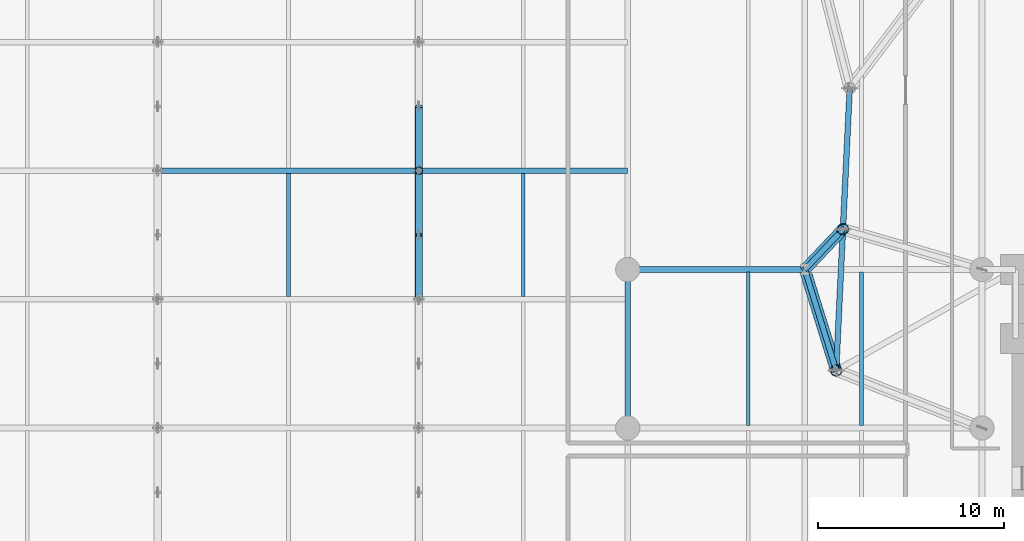
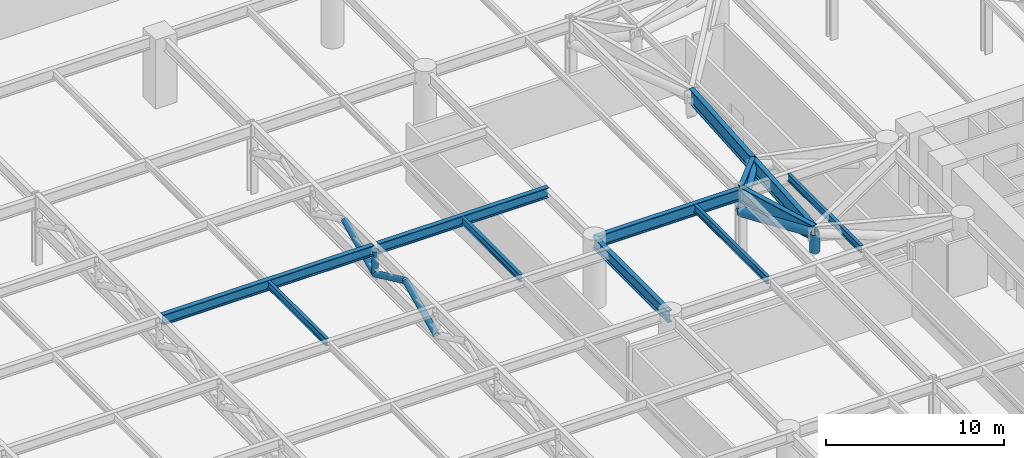
# One storey, part 16 of 40: 12 beams, 8 members.
"""IFC4 building model written with IfcOpenShell, lengths in metres."""

from ifc_helpers import new_model, si_unit, direction, frame, origin, origin_2d, place, context, subcontext, project, spatial, hollow_circle, i_section, extrude, material, material_profile, profile_set, type_object, element, save


model = new_model("IFC4")

# Units and contexts
model_context = context("Model", 3, precision=1e-05, world=origin(), true_north=direction((0.0, 1.0)))
body_context = subcontext(model_context, "Body", "Model", "MODEL_VIEW")
ifc_project = project(units=[si_unit("LENGTHUNIT", "METRE"), si_unit("AREAUNIT", "SQUARE_METRE"), si_unit("VOLUMEUNIT", "CUBIC_METRE"), si_unit("PLANEANGLEUNIT", "RADIAN"), si_unit("MASSUNIT", "GRAM", prefix="KILO")], contexts=[model_context])

# Site, building, storey
site_placement = place(None, origin())
site = spatial("IfcSite", under=ifc_project, at=site_placement, CompositionType="ELEMENT")
building_placement = place(site_placement, origin())
building = spatial("IfcBuilding", under=site, at=building_placement, Name="Narakoshi Arena Tower", CompositionType="ELEMENT")
storey_placement = place(building_placement, frame((0.0, 0.0, 21.60009765625)))
storey = spatial("IfcBuildingStorey", under=building, at=storey_placement, Name="L05", CompositionType="ELEMENT", Elevation=21.60009765625)

# Beams
ifc_material_1 = material(Name="Structural steel S355J2", Category="steel")
ifc_material_profile_1 = material_profile(ifc_material_1, i_section(OverallWidth=0.300048828125, OverallDepth=0.699951171875, WebThickness=0.01708984375, FlangeThickness=0.031982421875, FilletRadius=0.027099609375, at=origin_2d()), Name="HE700B")
ifc_profile_set_1 = profile_set([ifc_material_profile_1], Name="Structural steel S355J2")
beam_type_1 = type_object("IfcBeamType", Name="BM-PRI-700", PredefinedType="BEAM", material=ifc_profile_set_1)
beam_1_placement = place(storey_placement, frame((26.14501953125, 61.800048828125, 4.429931640625), z_axis=(1.0, 0.0, 0.0), x_axis=(0.0, 1.0, 0.0)))
element("IfcBeam", 1, at=beam_1_placement, inside=storey, type_object=beam_type_1, Name="L05 Arena Roof Transverse Girder 6-26", PredefinedType="BEAM", context=body_context, shape_type="SweptSolid", body=[
    extrude(i_section(OverallWidth=0.300048828125, OverallDepth=0.699951171875, WebThickness=0.01708984375, FlangeThickness=0.031982421875, FilletRadius=0.027099609375, at=origin_2d()), origin(), (0.0, 0.0, 1.0), 13.7099609375),
])
beam_2_placement = place(storey_placement, frame((40.14501953125, 61.800048828125, 4.429931640625), z_axis=(1.0, 0.0, 0.0), x_axis=(0.0, 1.0, 0.0)))
element("IfcBeam", 2, at=beam_2_placement, inside=storey, type_object=beam_type_1, Name="L05 Arena Roof Transverse Girder 6-40", PredefinedType="BEAM", context=body_context, shape_type="SweptSolid", body=[
    extrude(i_section(OverallWidth=0.300048828125, OverallDepth=0.699951171875, WebThickness=0.01708984375, FlangeThickness=0.031982421875, FilletRadius=0.027099609375, at=origin_2d()), origin(), (0.0, 0.0, 1.0), 11.054931640625),
])
ifc_material_2 = material(Name="Structural steel S460ML", Category="steel")
ifc_material_profile_2 = material_profile(ifc_material_2, i_section(OverallWidth=0.300048828125, OverallDepth=0.800048828125, WebThickness=0.017578125, FlangeThickness=0.032958984375, FilletRadius=0.030029296875, at=origin_2d()), Name="HE800B")
ifc_profile_set_2 = profile_set([ifc_material_profile_2], Name="Structural steel S460ML")
beam_type_2 = type_object("IfcBeamType", Name="BM-PRI-800", PredefinedType="BEAM", material=ifc_profile_set_2)
beam_3_placement = place(storey_placement, frame((51.199951171875, 56.5, 4.199951171875), z_axis=(1.0, 0.0, 0.0), x_axis=(0.0, 1.0, 0.0)))
element("IfcBeam", 3, at=beam_3_placement, inside=storey, type_object=beam_type_2, Name="L05 Podium Primary X-Girder 035", PredefinedType="BEAM", context=body_context, shape_type="SweptSolid", body=[
    extrude(i_section(OverallWidth=0.300048828125, OverallDepth=0.800048828125, WebThickness=0.017578125, FlangeThickness=0.032958984375, FilletRadius=0.030029296875, at=origin_2d()), origin(), (0.0, 0.0, 1.0), 9.5),
])
beam_4_placement = place(storey_placement, frame((51.199951171875, 48.0, 4.199951171875), z_axis=(0.0, 1.0, 0.0), x_axis=(-1.0, 0.0, 0.0)))
element("IfcBeam", 4, at=beam_4_placement, inside=storey, type_object=beam_type_2, Name="L05 Podium Primary Y-Girder 083", PredefinedType="BEAM", context=body_context, shape_type="SweptSolid", body=[
    extrude(i_section(OverallWidth=0.300048828125, OverallDepth=0.800048828125, WebThickness=0.017578125, FlangeThickness=0.032958984375, FilletRadius=0.030029296875, at=origin_2d()), origin(), (0.0, 0.0, 1.0), 8.5),
])
ifc_material_profile_3 = material_profile(ifc_material_1, i_section(OverallWidth=0.199951171875, OverallDepth=0.5, WebThickness=0.01025390625, FlangeThickness=0.01611328125, FilletRadius=0.02099609375, at=origin_2d()), Name="IPE500")
ifc_profile_set_3 = profile_set([ifc_material_profile_3], Name="Structural steel S355J2")
beam_type_3 = type_object("IfcBeamType", Name="BM-SEC-500", PredefinedType="JOIST", material=ifc_profile_set_3)
for number, where, z_axis, x_axis, name in (
    (5, (57.659912109375, 48.135009765625, 4.349853515625), (0.0, 1.0, 0.0), (-1.0, 0.0, 0.0), "L05 Podium Composite Floor Joist 012"),
    (6, (63.739990234375, 48.135009765625, 4.349853515625), (0.0, 1.0, 0.0), (-1.0, 0.0, 0.0), "L05 Podium Composite Floor Joist 018"),
):
    element("IfcBeam", number, at=place(storey_placement, frame(where, z_axis=z_axis, x_axis=x_axis)), inside=storey, type_object=beam_type_3, Name=name, PredefinedType="JOIST", context=body_context, shape_type="SweptSolid", body=[
        extrude(i_section(OverallWidth=0.199951171875, OverallDepth=0.5, WebThickness=0.01025390625, FlangeThickness=0.01611328125, FilletRadius=0.02099609375, at=origin_2d()), origin(), (0.0, 0.0, 1.0), 8.22998046875),
    ])
for number, where, z_axis, x_axis, name in (
    (7, (33.0, 55.044921875, 4.52978515625), (0.0, 1.0, 0.0), (-1.0, 0.0, 0.0), "L05 Arena Roof Secondary Joist 26-6"),
    (8, (45.60009765625, 55.044921875, 4.52978515625), (0.0, 1.0, 0.0), (-1.0, 0.0, 0.0), "L05 Arena Roof Secondary Joist 40-6"),
):
    element("IfcBeam", number, at=place(storey_placement, frame(where, z_axis=z_axis, x_axis=x_axis)), inside=storey, type_object=beam_type_3, Name=name, PredefinedType="JOIST", context=body_context, shape_type="SweptSolid", body=[
        extrude(i_section(OverallWidth=0.199951171875, OverallDepth=0.5, WebThickness=0.01025390625, FlangeThickness=0.01611328125, FilletRadius=0.02099609375, at=origin_2d()), origin(), (0.0, 0.0, 1.0), 6.610107421875),
    ])
ifc_material_profile_4 = material_profile(ifc_material_2, i_section(OverallWidth=0.302001953125, OverallDepth=1.008056640625, WebThickness=0.02099609375, FlangeThickness=0.0400390625, FilletRadius=0.030029296875, at=origin_2d()), Name="HE1000M")
ifc_profile_set_4 = profile_set([ifc_material_profile_4], Name="Structural steel S460ML")
beam_type_4 = type_object("IfcBeamType", Name="BM-XFER-1000", PredefinedType="BEAM", material=ifc_profile_set_4)
beam_5_placement = place(storey_placement, frame((60.699951171875, 56.5, 4.19580078125), z_axis=(0.687113126913, 0.726550446166, 0.0), x_axis=(-0.726550446166, 0.687113126913, 0.0)))
element("IfcBeam", 9, at=beam_5_placement, inside=storey, type_object=beam_type_4, Name="L05 Tower Radial Transfer Girder 15-W", PredefinedType="BEAM", context=body_context, shape_type="SweptSolid", body=[
    extrude(i_section(OverallWidth=0.302001953125, OverallDepth=1.008056640625, WebThickness=0.02099609375, FlangeThickness=0.0400390625, FilletRadius=0.030029296875, at=origin_2d()), origin(), (0.0, 0.0, 1.0), 2.971435546875),
])
beam_6_placement = place(storey_placement, frame((60.699951171875, 56.5, 4.19580078125), z_axis=(0.296232463176, -0.955115871379, 0.0), x_axis=(0.955115871379, 0.296232463176, 0.0)))
element("IfcBeam", 10, at=beam_6_placement, inside=storey, type_object=beam_type_4, Name="L05 Tower Radial Transfer Girder 16-W", PredefinedType="BEAM", context=body_context, shape_type="SweptSolid", body=[
    extrude(i_section(OverallWidth=0.302001953125, OverallDepth=1.008056640625, WebThickness=0.02099609375, FlangeThickness=0.0400390625, FilletRadius=0.030029296875, at=origin_2d()), origin(), (0.0, 0.0, 1.0), 5.664306640625),
])
beam_7_placement = place(storey_placement, frame((62.3779296875, 51.08984375, 4.19580078125), z_axis=(0.048004457986, 0.998847121442, 0.0), x_axis=(-0.998847121442, 0.048004457986, 0.0)))
element("IfcBeam", 11, at=beam_7_placement, inside=storey, type_object=beam_type_4, Name="L05 LEGB Wall Transfer Bed Girder 2", PredefinedType="BEAM", context=body_context, shape_type="SweptSolid", body=[
    extrude(i_section(OverallWidth=0.302001953125, OverallDepth=1.008056640625, WebThickness=0.02099609375, FlangeThickness=0.0400390625, FilletRadius=0.030029296875, at=origin_2d()), origin(), (0.0, 0.0, 1.0), 7.577880859375),
])
beam_8_placement = place(storey_placement, frame((62.74169921875, 58.658935546875, 4.19580078125), z_axis=(0.047938627957, 0.99885028305, 0.0), x_axis=(-0.99885028305, 0.047938627957, 0.0)))
element("IfcBeam", 12, at=beam_8_placement, inside=storey, type_object=beam_type_4, Name="L05 LEGB Wall Transfer Bed Girder 3", PredefinedType="BEAM", context=body_context, shape_type="SweptSolid", body=[
    extrude(i_section(OverallWidth=0.302001953125, OverallDepth=1.008056640625, WebThickness=0.02099609375, FlangeThickness=0.0400390625, FilletRadius=0.030029296875, at=origin_2d()), origin(), (0.0, 0.0, 1.0), 7.578125),
])

# Members
ifc_material_profile_5 = material_profile(ifc_material_2, hollow_circle(Radius=0.203125, WallThickness=0.01611328125, at=origin_2d()), Name="CHS406x16")
ifc_profile_set_5 = profile_set([ifc_material_profile_5], Name="Structural steel S460ML")
member_type_1 = type_object("IfcMemberType", Name="MEM-ARN-406", PredefinedType="CHORD", material=ifc_profile_set_5)
member_1_placement = place(storey_placement, frame((40.0, 54.89990234375, 2.699951171875), z_axis=(0.0, 0.904679377383, 0.426092975931), x_axis=(-1.0, 0.0, 0.0)))
element("IfcMember", 13, at=member_1_placement, inside=storey, type_object=member_type_1, Name="L05 Arena Roof Truss 3 Web Diagonal 6A", PredefinedType="CHORD", context=body_context, shape_type="SweptSolid", body=[
    extrude(hollow_circle(Radius=0.203125, WallThickness=0.01611328125, at=origin_2d()), origin(), (0.0, 0.0, 1.0), 3.813720703125),
])
member_2_placement = place(storey_placement, frame((40.0, 58.35009765625, 4.324951171875), z_axis=(0.0, 0.904667753866, -0.426117654075), x_axis=(-1.0, 0.0, 0.0)))
element("IfcMember", 14, at=member_2_placement, inside=storey, type_object=member_type_1, Name="L05 Arena Roof Truss 3 Web Diagonal 6B", PredefinedType="CHORD", context=body_context, shape_type="SweptSolid", body=[
    extrude(hollow_circle(Radius=0.203125, WallThickness=0.01611328125, at=origin_2d()), origin(), (0.0, 0.0, 1.0), 3.8134765625),
])
member_3_placement = place(storey_placement, frame((40.0, 61.800048828125, 2.699951171875), z_axis=(0.0, 0.0, 1.0), x_axis=(1.0, 0.0, 0.0)))
element("IfcMember", 15, at=member_3_placement, inside=storey, type_object=member_type_1, Name="L05 Arena Roof Truss 3 Web Post 7", PredefinedType="CHORD", context=body_context, shape_type="SweptSolid", body=[
    extrude(hollow_circle(Radius=0.203125, WallThickness=0.01611328125, at=origin_2d()), origin(), (0.0, 0.0, 1.0), 1.625),
])
member_4_placement = place(storey_placement, frame((40.0, 61.800048828125, 2.699951171875), z_axis=(0.0, 0.904667753866, 0.426117654075), x_axis=(-1.0, 0.0, 0.0)))
element("IfcMember", 16, at=member_4_placement, inside=storey, type_object=member_type_1, Name="L05 Arena Roof Truss 3 Web Diagonal 7A", PredefinedType="CHORD", context=body_context, shape_type="SweptSolid", body=[
    extrude(hollow_circle(Radius=0.203125, WallThickness=0.01611328125, at=origin_2d()), origin(), (0.0, 0.0, 1.0), 3.8134765625),
])
ifc_material_profile_6 = material_profile(ifc_material_2, hollow_circle(Radius=0.304931640625, WallThickness=0.02490234375, at=origin_2d()), Name="CHS610x25")
ifc_profile_set_6 = profile_set([ifc_material_profile_6], Name="Structural steel S460ML")
member_type_2 = type_object("IfcMemberType", Name="MEM-OUT-610", PredefinedType="BRACE", material=ifc_profile_set_6)
member_5_placement = place(storey_placement, frame((60.699951171875, 56.5, 2.949951171875), z_axis=(0.63367148827, 0.670041488793, 0.386658568055), x_axis=(-0.726550446166, 0.687113126913, 0.0)))
element("IfcMember", 17, at=member_5_placement, inside=storey, type_object=member_type_2, Name="L05 Tower Transfer Strut Diagonal 15-W", PredefinedType="BRACE", context=body_context, shape_type="SweptSolid", body=[
    extrude(hollow_circle(Radius=0.304931640625, WallThickness=0.02490234375, at=origin_2d()), origin(), (0.0, 0.0, 1.0), 3.22216796875),
])
member_6_placement = place(storey_placement, frame((62.74169921875, 58.658935546875, 2.949951171875), z_axis=(0.0, 0.0, 1.0), x_axis=(1.0, 0.0, 0.0)))
element("IfcMember", 18, at=member_6_placement, inside=storey, type_object=member_type_2, Name="L05 Tower Transfer End Post 15", PredefinedType="BRACE", context=body_context, shape_type="SweptSolid", body=[
    extrude(hollow_circle(Radius=0.304931640625, WallThickness=0.02490234375, at=origin_2d()), origin(), (0.0, 0.0, 1.0), 1.245849609375),
])
member_7_placement = place(storey_placement, frame((60.699951171875, 56.5, 2.949951171875), z_axis=(0.289317202971, -0.932819615572, 0.214809499019), x_axis=(0.955115871379, 0.296232463176, 0.0)))
element("IfcMember", 19, at=member_7_placement, inside=storey, type_object=member_type_2, Name="L05 Tower Transfer Strut Diagonal 16-W", PredefinedType="BRACE", context=body_context, shape_type="SweptSolid", body=[
    extrude(hollow_circle(Radius=0.304931640625, WallThickness=0.02490234375, at=origin_2d()), origin(), (0.0, 0.0, 1.0), 5.7998046875),
])
member_8_placement = place(storey_placement, frame((62.3779296875, 51.08984375, 2.949951171875), z_axis=(0.0, 0.0, 1.0), x_axis=(1.0, 0.0, 0.0)))
element("IfcMember", 20, at=member_8_placement, inside=storey, type_object=member_type_2, Name="L05 Tower Transfer End Post 16", PredefinedType="BRACE", context=body_context, shape_type="SweptSolid", body=[
    extrude(hollow_circle(Radius=0.304931640625, WallThickness=0.02490234375, at=origin_2d()), origin(), (0.0, 0.0, 1.0), 1.245849609375),
])

save(model, "model.ifc")
